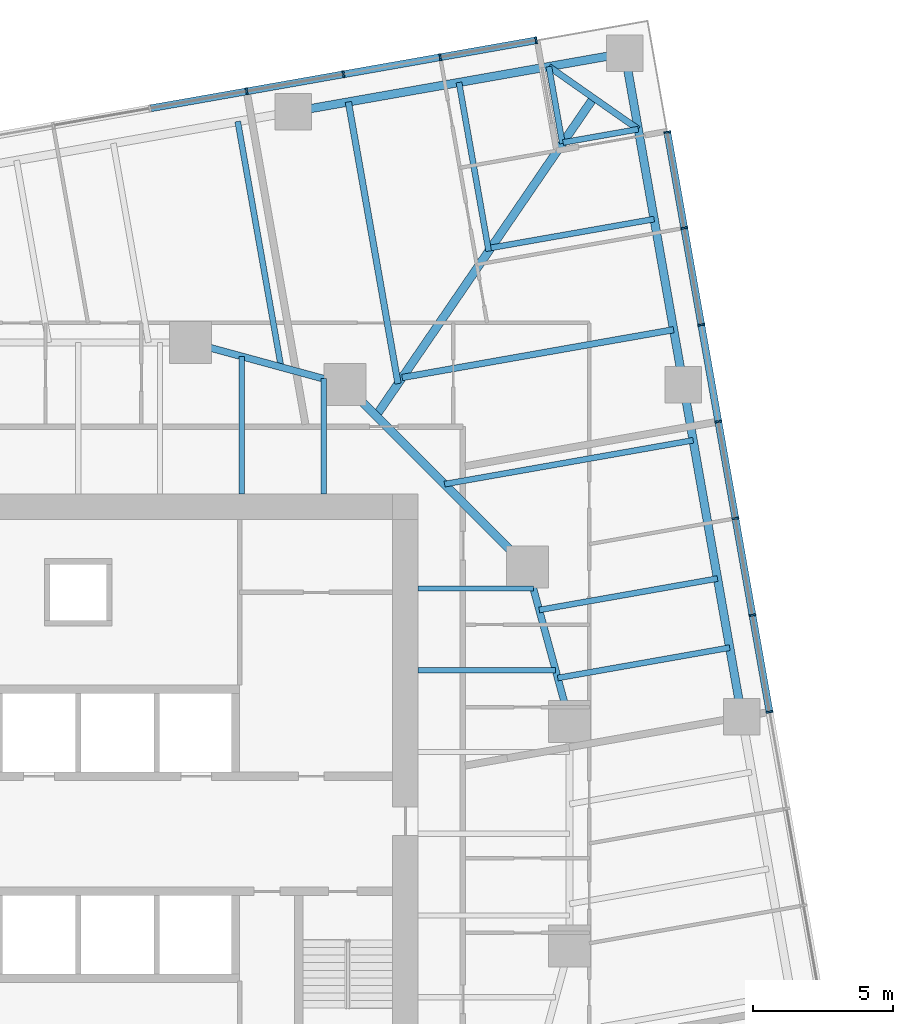
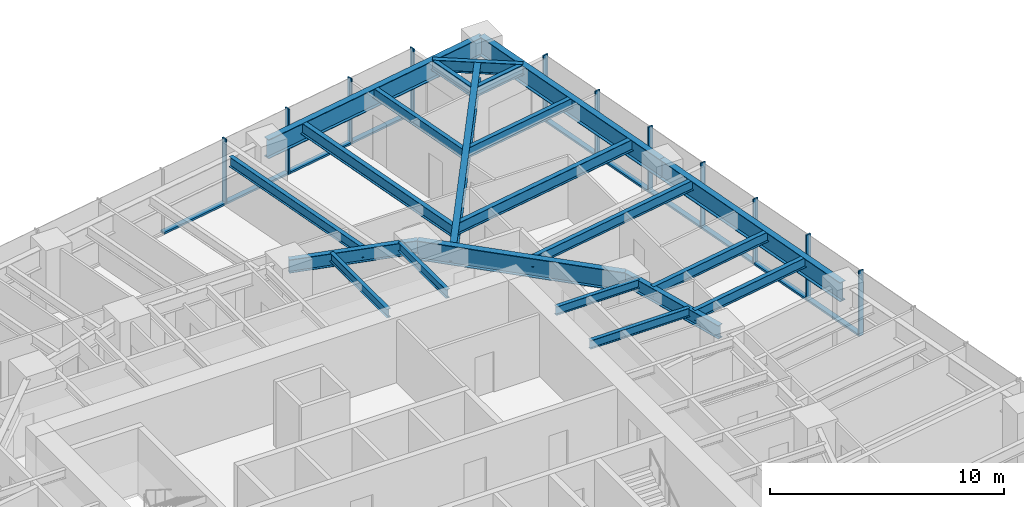
# One storey, part 6 of 14: 22 beams, 21 members, 2 elements without a shape of their own.
"""IFC4 building model written with IfcOpenShell, lengths in metres."""

from ifc_helpers import new_model, si_unit, direction, frame, origin, origin_2d, place, context, subcontext, project, spatial, rectangle, i_section, extrude, material, material_profile, profile_set, type_object, element, aggregate, save


model = new_model("IFC4")

# Units and contexts
model_context = context("Model", 3, precision=1e-05, world=origin(), true_north=direction((0.0, 1.0)))
body_context = subcontext(model_context, "Body", "Model", "MODEL_VIEW")
ifc_project = project(units=[si_unit("LENGTHUNIT", "METRE"), si_unit("AREAUNIT", "SQUARE_METRE"), si_unit("VOLUMEUNIT", "CUBIC_METRE"), si_unit("PLANEANGLEUNIT", "RADIAN"), si_unit("MASSUNIT", "GRAM", prefix="KILO")], contexts=[model_context])

# Site, building, storey
site_placement = place(None, origin())
site = spatial("IfcSite", under=ifc_project, at=site_placement, CompositionType="ELEMENT")
building_placement = place(site_placement, origin())
building = spatial("IfcBuilding", under=site, at=building_placement, Name="Torsade Residences", CompositionType="ELEMENT")
storey_placement = place(building_placement, frame((0.0, 0.0, 99.800048828125)))
storey = spatial("IfcBuildingStorey", under=building, at=storey_placement, Name="L27", CompositionType="ELEMENT", Elevation=99.800048828125)

# Beams
ifc_material_1 = material(Name="Steel grade 300", Category="steel")
ifc_material_profile_1 = material_profile(ifc_material_1, i_section(OverallWidth=0.300048828125, OverallDepth=0.89990234375, WebThickness=0.011962890625, FlangeThickness=0.02490234375, at=origin_2d()), Name="900WB175")
ifc_profile_set_1 = profile_set([ifc_material_profile_1], Name="Steel grade 300")
beam_type_1 = type_object("IfcBeamType", Name="CORNER GIRDER 900WB175", PredefinedType="BEAM", material=ifc_profile_set_1)
beam_1_placement = place(storey_placement, frame((58.3525390625, 56.2099609375, 2.800048828125), z_axis=(-0.564724759437, -0.825279313977, 0.0), x_axis=(0.825279313977, -0.564724759437, 0.0)))
element("IfcBeam", 1, at=beam_1_placement, inside=storey, type_object=beam_type_1, Name="Corner girder 09 L28", PredefinedType="BEAM", context=body_context, shape_type="SweptSolid", body=[
    extrude(i_section(OverallWidth=0.300048828125, OverallDepth=0.89990234375, WebThickness=0.011962890625, FlangeThickness=0.02490234375, at=origin_2d()), origin(), (0.0, 0.0, 1.0), 13.7138671875),
])
ifc_material_2 = material(Name="Steel grade 300", Category="steel")
ifc_material_profile_2 = material_profile(ifc_material_2, i_section(OverallWidth=0.22802734375, OverallDepth=0.60205078125, WebThickness=0.010498046875, FlangeThickness=0.014892578125, FilletRadius=0.013916015625, at=origin_2d()), Name="610UB101")
ifc_profile_set_2 = profile_set([ifc_material_profile_2], Name="Steel grade 300")
beam_type_2 = type_object("IfcBeamType", Name="CORNER TRIMMER 610UB101", PredefinedType="BEAM", material=ifc_profile_set_2)
beam_2_placement = place(storey_placement, frame((56.759521484375, 57.325439453125, 2.948974609375), z_axis=(0.819152285145, -0.573576092373, 0.0), x_axis=(0.573576092373, 0.819152285145, 0.0)))
element("IfcBeam", 2, at=beam_2_placement, inside=storey, type_object=beam_type_2, Name="Corner trimmer 09 L28", PredefinedType="BEAM", context=body_context, shape_type="SweptSolid", body=[
    extrude(i_section(OverallWidth=0.22802734375, OverallDepth=0.60205078125, WebThickness=0.010498046875, FlangeThickness=0.014892578125, FilletRadius=0.013916015625, at=origin_2d()), origin(), (0.0, 0.0, 1.0), 3.88916015625),
])

# Curtain wall, members
ifc_material_3 = material(Name="Aluminium and glass", Category="aluminium")
curtain_wall_type = type_object("IfcCurtainWallType", Name="FRITTED GLASS CURTAIN WALL LOW ZONE", PredefinedType="NOTDEFINED", material=ifc_material_3)
curtain_wall_1_placement = place(storey_placement, origin())
curtain_wall_1 = element("IfcCurtainWall", 3, at=curtain_wall_1_placement, inside=storey, type_object=curtain_wall_type, Name="Curtain wall L27 face 4", PredefinedType="NOTDEFINED")
ifc_material_4 = material(Name="Aluminium mullion", Category="aluminium")
ifc_material_profile_3 = material_profile(ifc_material_4, rectangle(XDim=0.25, YDim=0.06494140625, at=origin_2d()), Name="CURTAIN WALL MULLION 250x65")
ifc_profile_set_3 = profile_set([ifc_material_profile_3], Name="Aluminium mullion")
member_type_1 = type_object("IfcMemberType", Name="CURTAIN WALL MULLION 250x65", PredefinedType="MULLION", material=ifc_profile_set_3)
member_1_placement = place(storey_placement, frame((64.6201171875, 34.34130859375, 0.0), z_axis=(0.0, 0.0, 1.0), x_axis=(-0.984807750372, -0.173648192638, 0.0)))
member_1 = element("IfcMember", 4, at=member_1_placement, type_object=member_type_1, Name="Mullion 7", PredefinedType="MULLION", context=body_context, shape_type="SweptSolid", body=[
    extrude(rectangle(XDim=0.25, YDim=0.06494140625, at=origin_2d()), origin(), (0.0, 0.0, 1.0), 3.39990234375),
])
member_2_placement = place(storey_placement, frame((64.012451171875, 37.7880859375, 0.0), z_axis=(0.0, 0.0, 1.0), x_axis=(-0.984807750372, -0.173648192638, 0.0)))
member_2 = element("IfcMember", 5, at=member_2_placement, type_object=member_type_1, Name="Mullion 8", PredefinedType="MULLION", context=body_context, shape_type="SweptSolid", body=[
    extrude(rectangle(XDim=0.25, YDim=0.06494140625, at=origin_2d()), origin(), (0.0, 0.0, 1.0), 3.39990234375),
])
member_3_placement = place(storey_placement, frame((63.404541015625, 41.23486328125, 0.0), z_axis=(0.0, 0.0, 1.0), x_axis=(-0.984807750372, -0.173648192638, 0.0)))
member_3 = element("IfcMember", 6, at=member_3_placement, type_object=member_type_1, Name="Mullion 9", PredefinedType="MULLION", context=body_context, shape_type="SweptSolid", body=[
    extrude(rectangle(XDim=0.25, YDim=0.06494140625, at=origin_2d()), origin(), (0.0, 0.0, 1.0), 3.39990234375),
])
member_4_placement = place(storey_placement, frame((62.796875, 44.681640625, 0.0), z_axis=(0.0, 0.0, 1.0), x_axis=(-0.984807750372, -0.173648192638, 0.0)))
member_4 = element("IfcMember", 7, at=member_4_placement, type_object=member_type_1, Name="Mullion 10", PredefinedType="MULLION", context=body_context, shape_type="SweptSolid", body=[
    extrude(rectangle(XDim=0.25, YDim=0.06494140625, at=origin_2d()), origin(), (0.0, 0.0, 1.0), 3.39990234375),
])
member_5_placement = place(storey_placement, frame((62.189208984375, 48.12841796875, 0.0), z_axis=(0.0, 0.0, 1.0), x_axis=(-0.984807750372, -0.173648192638, 0.0)))
member_5 = element("IfcMember", 8, at=member_5_placement, type_object=member_type_1, Name="Mullion 11", PredefinedType="MULLION", context=body_context, shape_type="SweptSolid", body=[
    extrude(rectangle(XDim=0.25, YDim=0.06494140625, at=origin_2d()), origin(), (0.0, 0.0, 1.0), 3.39990234375),
])
member_6_placement = place(storey_placement, frame((61.581298828125, 51.575439453125, 0.0), z_axis=(0.0, 0.0, 1.0), x_axis=(-0.984807750372, -0.173648192638, 0.0)))
member_6 = element("IfcMember", 9, at=member_6_placement, type_object=member_type_1, Name="Mullion 12", PredefinedType="MULLION", context=body_context, shape_type="SweptSolid", body=[
    extrude(rectangle(XDim=0.25, YDim=0.06494140625, at=origin_2d()), origin(), (0.0, 0.0, 1.0), 3.39990234375),
])
member_7_placement = place(storey_placement, frame((60.979248046875, 54.990234375, 0.0), z_axis=(0.0, 0.0, 1.0), x_axis=(-0.984807750372, -0.173648192638, 0.0)))
member_7 = element("IfcMember", 10, at=member_7_placement, type_object=member_type_1, Name="Mullion 13", PredefinedType="MULLION", context=body_context, shape_type="SweptSolid", body=[
    extrude(rectangle(XDim=0.25, YDim=0.06494140625, at=origin_2d()), origin(), (0.0, 0.0, 1.0), 3.39990234375),
])

curtain_wall_2_placement = place(storey_placement, origin())
curtain_wall_2 = element("IfcCurtainWall", 11, at=curtain_wall_2_placement, inside=storey, type_object=curtain_wall_type, Name="Curtain wall L27 face 7", PredefinedType="NOTDEFINED")
member_8_placement = place(storey_placement, frame((56.307861328125, 58.26123046875, 0.0), z_axis=(0.0, 0.0, 1.0), x_axis=(0.173648192638, -0.984807750372, 0.0)))
member_8 = element("IfcMember", 12, at=member_8_placement, type_object=member_type_1, Name="Mullion 1", PredefinedType="MULLION", context=body_context, shape_type="SweptSolid", body=[
    extrude(rectangle(XDim=0.25, YDim=0.06494140625, at=origin_2d()), origin(), (0.0, 0.0, 1.0), 3.39990234375),
])
member_9_placement = place(storey_placement, frame((52.892822265625, 57.658935546875, 0.0), z_axis=(0.0, 0.0, 1.0), x_axis=(0.173648192638, -0.984807750372, 0.0)))
member_9 = element("IfcMember", 13, at=member_9_placement, type_object=member_type_1, Name="Mullion 2", PredefinedType="MULLION", context=body_context, shape_type="SweptSolid", body=[
    extrude(rectangle(XDim=0.25, YDim=0.06494140625, at=origin_2d()), origin(), (0.0, 0.0, 1.0), 3.39990234375),
])
member_10_placement = place(storey_placement, frame((49.446044921875, 57.05126953125, 0.0), z_axis=(0.0, 0.0, 1.0), x_axis=(0.173648192638, -0.984807750372, 0.0)))
member_10 = element("IfcMember", 14, at=member_10_placement, type_object=member_type_1, Name="Mullion 3", PredefinedType="MULLION", context=body_context, shape_type="SweptSolid", body=[
    extrude(rectangle(XDim=0.25, YDim=0.06494140625, at=origin_2d()), origin(), (0.0, 0.0, 1.0), 3.39990234375),
])
member_11_placement = place(storey_placement, frame((45.999267578125, 56.443603515625, 0.0), z_axis=(0.0, 0.0, 1.0), x_axis=(0.173648192638, -0.984807750372, 0.0)))
member_11 = element("IfcMember", 15, at=member_11_placement, type_object=member_type_1, Name="Mullion 4", PredefinedType="MULLION", context=body_context, shape_type="SweptSolid", body=[
    extrude(rectangle(XDim=0.25, YDim=0.06494140625, at=origin_2d()), origin(), (0.0, 0.0, 1.0), 3.39990234375),
])

# Member
ifc_material_5 = material(Name="Aluminium transom", Category="aluminium")
ifc_material_profile_4 = material_profile(ifc_material_5, rectangle(XDim=0.25, YDim=0.10009765625, at=origin_2d()), Name="CURTAIN WALL TRANSOM 250x100")
ifc_profile_set_4 = profile_set([ifc_material_profile_4], Name="Aluminium transom")
member_type_2 = type_object("IfcMemberType", Name="CURTAIN WALL TRANSOM 250x100", PredefinedType="USERDEFINED", material=ifc_profile_set_4)
member_12_placement = place(storey_placement, frame((64.614501953125, 34.373291015625, 0.050048828125), z_axis=(-0.17363531196, 0.984810021497, 0.0), x_axis=(-0.984810021497, -0.17363531196, 0.0)))
member_12 = element("IfcMember", 16, at=member_12_placement, type_object=member_type_2, Name="Transom 7.1", ObjectType="TRANSOM", PredefinedType="USERDEFINED", context=body_context, shape_type="SweptSolid", body=[
    extrude(rectangle(XDim=0.25, YDim=0.10009765625, at=origin_2d()), origin(), (0.0, 0.0, 1.0), 3.43505859375),
])

member_13_placement = place(storey_placement, frame((64.0068359375, 37.820068359375, 0.050048828125), z_axis=(-0.17363531196, 0.984810021497, 0.0), x_axis=(-0.984810021497, -0.17363531196, 0.0)))
member_13 = element("IfcMember", 17, at=member_13_placement, type_object=member_type_2, Name="Transom 8.1", ObjectType="TRANSOM", PredefinedType="USERDEFINED", context=body_context, shape_type="SweptSolid", body=[
    extrude(rectangle(XDim=0.25, YDim=0.10009765625, at=origin_2d()), origin(), (0.0, 0.0, 1.0), 3.43505859375),
])

member_14_placement = place(storey_placement, frame((63.39892578125, 41.266845703125, 0.050048828125), z_axis=(-0.17363531196, 0.984810021497, 0.0), x_axis=(-0.984810021497, -0.17363531196, 0.0)))
member_14 = element("IfcMember", 18, at=member_14_placement, type_object=member_type_2, Name="Transom 9.1", ObjectType="TRANSOM", PredefinedType="USERDEFINED", context=body_context, shape_type="SweptSolid", body=[
    extrude(rectangle(XDim=0.25, YDim=0.10009765625, at=origin_2d()), origin(), (0.0, 0.0, 1.0), 3.43505859375),
])

member_15_placement = place(storey_placement, frame((62.791259765625, 44.713623046875, 0.050048828125), z_axis=(-0.17363531196, 0.984810021497, 0.0), x_axis=(-0.984810021497, -0.17363531196, 0.0)))
member_15 = element("IfcMember", 19, at=member_15_placement, type_object=member_type_2, Name="Transom 10.1", ObjectType="TRANSOM", PredefinedType="USERDEFINED", context=body_context, shape_type="SweptSolid", body=[
    extrude(rectangle(XDim=0.25, YDim=0.10009765625, at=origin_2d()), origin(), (0.0, 0.0, 1.0), 3.43505859375),
])

member_16_placement = place(storey_placement, frame((62.18359375, 48.160400390625, 0.050048828125), z_axis=(-0.173704242465, 0.98479786563, 0.0), x_axis=(-0.98479786563, -0.173704242465, 0.0)))
member_16 = element("IfcMember", 20, at=member_16_placement, type_object=member_type_2, Name="Transom 11.1", ObjectType="TRANSOM", PredefinedType="USERDEFINED", context=body_context, shape_type="SweptSolid", body=[
    extrude(rectangle(XDim=0.25, YDim=0.10009765625, at=origin_2d()), origin(), (0.0, 0.0, 1.0), 3.43505859375),
])

member_17_placement = place(storey_placement, frame((61.57568359375, 51.607421875, 0.050048828125), z_axis=(-0.173642067011, 0.984808830466, 0.0), x_axis=(-0.984808830466, -0.173642067011, 0.0)))
member_17 = element("IfcMember", 21, at=member_17_placement, type_object=member_type_2, Name="Transom 12.1", ObjectType="TRANSOM", PredefinedType="USERDEFINED", context=body_context, shape_type="SweptSolid", body=[
    extrude(rectangle(XDim=0.25, YDim=0.10009765625, at=origin_2d()), origin(), (0.0, 0.0, 1.0), 3.402587890625),
])

aggregate(curtain_wall_1, [member_1, member_2, member_3, member_4, member_5, member_6, member_7, member_12, member_13, member_14, member_15, member_16, member_17])

member_18_placement = place(storey_placement, frame((56.275634765625, 58.255615234375, 0.050048828125), z_axis=(-0.984806666774, -0.173654337918, 0.0), x_axis=(0.173654337918, -0.984806666774, 0.0)))
member_18 = element("IfcMember", 22, at=member_18_placement, type_object=member_type_2, Name="Transom 1.1", ObjectType="TRANSOM", PredefinedType="USERDEFINED", context=body_context, shape_type="SweptSolid", body=[
    extrude(rectangle(XDim=0.25, YDim=0.10009765625, at=origin_2d()), origin(), (0.0, 0.0, 1.0), 3.40234375),
])

member_19_placement = place(storey_placement, frame((52.86083984375, 57.6533203125, 0.050048828125), z_axis=(-0.984810021497, -0.17363531196, 0.0), x_axis=(0.17363531196, -0.984810021497, 0.0)))
member_19 = element("IfcMember", 23, at=member_19_placement, type_object=member_type_2, Name="Transom 2.1", ObjectType="TRANSOM", PredefinedType="USERDEFINED", context=body_context, shape_type="SweptSolid", body=[
    extrude(rectangle(XDim=0.25, YDim=0.10009765625, at=origin_2d()), origin(), (0.0, 0.0, 1.0), 3.43505859375),
])

member_20_placement = place(storey_placement, frame((49.4140625, 57.045654296875, 0.050048828125), z_axis=(-0.984810021497, -0.17363531196, 0.0), x_axis=(0.17363531196, -0.984810021497, 0.0)))
member_20 = element("IfcMember", 24, at=member_20_placement, type_object=member_type_2, Name="Transom 3.1", ObjectType="TRANSOM", PredefinedType="USERDEFINED", context=body_context, shape_type="SweptSolid", body=[
    extrude(rectangle(XDim=0.25, YDim=0.10009765625, at=origin_2d()), origin(), (0.0, 0.0, 1.0), 3.43505859375),
])

member_21_placement = place(storey_placement, frame((45.96728515625, 56.437744140625, 0.050048828125), z_axis=(-0.984810021497, -0.17363531196, 0.0), x_axis=(0.17363531196, -0.984810021497, 0.0)))
member_21 = element("IfcMember", 25, at=member_21_placement, type_object=member_type_2, Name="Transom 4.1", ObjectType="TRANSOM", PredefinedType="USERDEFINED", context=body_context, shape_type="SweptSolid", body=[
    extrude(rectangle(XDim=0.25, YDim=0.10009765625, at=origin_2d()), origin(), (0.0, 0.0, 1.0), 3.43505859375),
])

aggregate(curtain_wall_2, [member_8, member_9, member_10, member_11, member_18, member_19, member_20, member_21])

# Beams
ifc_material_6 = material(Name="Steel grade 300", Category="steel")
ifc_material_profile_5 = material_profile(ifc_material_6, i_section(OverallWidth=0.300048828125, OverallDepth=1.0, WebThickness=0.01611328125, FlangeThickness=0.028076171875, at=origin_2d()), Name="1000WB215")
ifc_profile_set_5 = profile_set([ifc_material_profile_5], Name="Steel grade 300")
beam_type_3 = type_object("IfcBeamType", Name="EDGE BEAM 1000WB215", PredefinedType="SPANDREL", material=ifc_profile_set_5)
beam_3_placement = place(storey_placement, frame((63.635498046875, 34.16748046875, 2.75), z_axis=(-0.173662308598, 0.984805261243, 0.0), x_axis=(-0.984805261243, -0.173662308598, 0.0)))
element("IfcBeam", 26, at=beam_3_placement, inside=storey, type_object=beam_type_3, Name="Edge beam 07 L28", PredefinedType="SPANDREL", context=body_context, shape_type="SweptSolid", body=[
    extrude(i_section(OverallWidth=0.300048828125, OverallDepth=1.0, WebThickness=0.01611328125, FlangeThickness=0.028076171875, at=origin_2d()), origin(), (0.0, 0.0, 1.0), 12.000244140625),
])
for number, where, z_axis, x_axis, name in (
    (27, (61.551513671875, 45.9853515625, 2.75), (-0.173646056486, 0.984808127031, 0.0), (-0.984808127031, -0.173646056486, 0.0), "Edge beam 08 L28"),
    (28, (59.4677734375, 57.802978515625, 2.75), (-0.984808127031, -0.173646056486, 0.0), (0.173646056486, -0.984808127031, 0.0), "Edge beam 09 L28"),
):
    element("IfcBeam", number, at=place(storey_placement, frame(where, z_axis=z_axis, x_axis=x_axis)), inside=storey, type_object=beam_type_3, Name=name, PredefinedType="SPANDREL", context=body_context, shape_type="SweptSolid", body=[
        extrude(i_section(OverallWidth=0.300048828125, OverallDepth=1.0, WebThickness=0.01611328125, FlangeThickness=0.028076171875, at=origin_2d()), origin(), (0.0, 0.0, 1.0), 12.0),
    ])
ifc_material_7 = material(Name="Steel grade 300", Category="steel")
ifc_material_profile_6 = material_profile(ifc_material_7, i_section(OverallWidth=0.18994140625, OverallDepth=0.4541015625, WebThickness=0.008544921875, FlangeThickness=0.0126953125, FilletRadius=0.011474609375, at=origin_2d()), Name="460UB67.1")
ifc_profile_set_6 = profile_set([ifc_material_profile_6], Name="Steel grade 300")
beam_type_4 = type_object("IfcBeamType", Name="INNER FLOOR BEAM 460UB67.1", PredefinedType="JOIST", material=ifc_profile_set_6)
beam_4_placement = place(storey_placement, frame((45.824951171875, 42.10009765625, 3.02294921875), z_axis=(0.0, 1.0, 0.0), x_axis=(-1.0, 0.0, 0.0)))
element("IfcBeam", 29, at=beam_4_placement, inside=storey, type_object=beam_type_4, Name="Inner floor beam IN06 L28", PredefinedType="JOIST", context=body_context, shape_type="SweptSolid", body=[
    extrude(i_section(OverallWidth=0.18994140625, OverallDepth=0.4541015625, WebThickness=0.008544921875, FlangeThickness=0.0126953125, FilletRadius=0.011474609375, at=origin_2d()), origin(), (0.0, 0.0, 1.0), 4.902099609375),
])
beam_5_placement = place(storey_placement, frame((48.737548828125, 42.10009765625, 3.02294921875), z_axis=(0.0, 1.0, 0.0), x_axis=(-1.0, 0.0, 0.0)))
element("IfcBeam", 30, at=beam_5_placement, inside=storey, type_object=beam_type_4, Name="Inner floor beam IN07 L28", PredefinedType="JOIST", context=body_context, shape_type="SweptSolid", body=[
    extrude(i_section(OverallWidth=0.18994140625, OverallDepth=0.4541015625, WebThickness=0.008544921875, FlangeThickness=0.0126953125, FilletRadius=0.011474609375, at=origin_2d()), origin(), (0.0, 0.0, 1.0), 4.10791015625),
])
beam_6_placement = place(storey_placement, frame((52.10009765625, 35.824951171875, 3.02294921875), z_axis=(1.0, 0.0, 0.0), x_axis=(0.0, 1.0, 0.0)))
element("IfcBeam", 31, at=beam_6_placement, inside=storey, type_object=beam_type_4, Name="Inner floor beam IE06 L28", PredefinedType="JOIST", context=body_context, shape_type="SweptSolid", body=[
    extrude(i_section(OverallWidth=0.18994140625, OverallDepth=0.4541015625, WebThickness=0.008544921875, FlangeThickness=0.0126953125, FilletRadius=0.011474609375, at=origin_2d()), origin(), (0.0, 0.0, 1.0), 4.902099609375),
])
beam_7_placement = place(storey_placement, frame((52.10009765625, 38.737548828125, 3.02294921875), z_axis=(1.0, 0.0, 0.0), x_axis=(0.0, 1.0, 0.0)))
element("IfcBeam", 32, at=beam_7_placement, inside=storey, type_object=beam_type_4, Name="Inner floor beam IE07 L28", PredefinedType="JOIST", context=body_context, shape_type="SweptSolid", body=[
    extrude(i_section(OverallWidth=0.18994140625, OverallDepth=0.4541015625, WebThickness=0.008544921875, FlangeThickness=0.0126953125, FilletRadius=0.011474609375, at=origin_2d()), origin(), (0.0, 0.0, 1.0), 4.10791015625),
])
ifc_material_8 = material(Name="Steel grade 300", Category="steel")
ifc_material_profile_7 = material_profile(ifc_material_8, i_section(OverallWidth=0.300048828125, OverallDepth=1.0, WebThickness=0.01611328125, FlangeThickness=0.028076171875, at=origin_2d()), Name="1000WB215")
ifc_profile_set_7 = profile_set([ifc_material_profile_7], Name="Steel grade 300")
beam_type_5 = type_object("IfcBeamType", Name="RING CORNER GIRDER 1000WB215", PredefinedType="BEAM", material=ifc_profile_set_7)
beam_8_placement = place(storey_placement, frame((56.0, 39.5, 2.75), z_axis=(-0.707106781187, 0.707106781187, 0.0), x_axis=(-0.707106781187, -0.707106781187, 0.0)))
element("IfcBeam", 33, at=beam_8_placement, inside=storey, type_object=beam_type_5, Name="Ring girder IR03 L28", PredefinedType="BEAM", context=body_context, shape_type="SweptSolid", body=[
    extrude(i_section(OverallWidth=0.300048828125, OverallDepth=1.0, WebThickness=0.01611328125, FlangeThickness=0.028076171875, at=origin_2d()), origin(), (0.0, 0.0, 1.0), 9.1923828125),
])
ifc_material_9 = material(Name="Steel grade 300", Category="steel")
ifc_material_profile_8 = material_profile(ifc_material_9, i_section(OverallWidth=0.25, OverallDepth=0.699951171875, WebThickness=0.010009765625, FlangeThickness=0.02001953125, at=origin_2d()), Name="700WB130")
ifc_profile_set_8 = profile_set([ifc_material_profile_8], Name="Steel grade 300")
beam_type_6 = type_object("IfcBeamType", Name="RING GIRDER 700WB130", PredefinedType="BEAM", material=ifc_profile_set_8)
for number, where, z_axis, x_axis, name in (
    (34, (57.5, 34.0, 2.89990234375), (-0.263117405792, 0.964763821238, 0.0), (-0.964763821238, -0.263117405792, 0.0), "Ring girder IR02 L28"),
    (35, (49.5, 46.0, 2.89990234375), (-0.964763821238, 0.263117405792, 0.0), (-0.263117405792, -0.964763821238, 0.0), "Ring girder IR04 L28"),
):
    element("IfcBeam", number, at=place(storey_placement, frame(where, z_axis=z_axis, x_axis=x_axis)), inside=storey, type_object=beam_type_6, Name=name, PredefinedType="BEAM", context=body_context, shape_type="SweptSolid", body=[
        extrude(i_section(OverallWidth=0.25, OverallDepth=0.699951171875, WebThickness=0.010009765625, FlangeThickness=0.02001953125, at=origin_2d()), origin(), (0.0, 0.0, 1.0), 5.700927734375),
    ])
ifc_material_10 = material(Name="Steel grade 300", Category="steel")
ifc_material_profile_9 = material_profile(ifc_material_10, i_section(OverallWidth=0.208984375, OverallDepth=0.528076171875, WebThickness=0.009521484375, FlangeThickness=0.01318359375, FilletRadius=0.013916015625, at=origin_2d()), Name="530UB82.0")
ifc_profile_set_9 = profile_set([ifc_material_profile_9], Name="Steel grade 300")
beam_type_7 = type_object("IfcBeamType", Name="SECONDARY BEAM 530UB82.0", PredefinedType="JOIST", material=ifc_profile_set_9)
beam_9_placement = place(storey_placement, frame((63.201171875, 36.629638671875, 2.98583984375), z_axis=(-0.984806474989, -0.173655425542, 0.0), x_axis=(0.173655425542, -0.984806474989, 0.0)))
element("IfcBeam", 36, at=beam_9_placement, inside=storey, type_object=beam_type_7, Name="Floor beam FE07 L28", PredefinedType="JOIST", context=body_context, shape_type="SweptSolid", body=[
    extrude(i_section(OverallWidth=0.208984375, OverallDepth=0.528076171875, WebThickness=0.009521484375, FlangeThickness=0.01318359375, FilletRadius=0.013916015625, at=origin_2d()), origin(), (0.0, 0.0, 1.0), 6.21826171875),
])
beam_10_placement = place(storey_placement, frame((62.76708984375, 39.091552734375, 2.98583984375), z_axis=(-0.984810608823, -0.17363198078, 0.0), x_axis=(0.17363198078, -0.984810608823, 0.0)))
element("IfcBeam", 37, at=beam_10_placement, inside=storey, type_object=beam_type_7, Name="Floor beam FE08 L28", PredefinedType="JOIST", context=body_context, shape_type="SweptSolid", body=[
    extrude(i_section(OverallWidth=0.208984375, OverallDepth=0.528076171875, WebThickness=0.009521484375, FlangeThickness=0.01318359375, FilletRadius=0.013916015625, at=origin_2d()), origin(), (0.0, 0.0, 1.0), 6.4482421875),
])
beam_11_placement = place(storey_placement, frame((61.89892578125, 44.015625, 2.98583984375), z_axis=(-0.984809246638, -0.173639706679, 0.0), x_axis=(0.173639706679, -0.984809246638, 0.0)))
element("IfcBeam", 38, at=beam_11_placement, inside=storey, type_object=beam_type_7, Name="Floor beam FE09 L28", PredefinedType="JOIST", context=body_context, shape_type="SweptSolid", body=[
    extrude(i_section(OverallWidth=0.208984375, OverallDepth=0.528076171875, WebThickness=0.009521484375, FlangeThickness=0.01318359375, FilletRadius=0.013916015625, at=origin_2d()), origin(), (0.0, 0.0, 1.0), 8.989990234375),
])
beam_12_placement = place(storey_placement, frame((60.509765625, 51.89404296875, 2.98583984375), z_axis=(-0.984811033899, -0.173629569808, 0.0), x_axis=(0.173629569808, -0.984811033899, 0.0)))
element("IfcBeam", 39, at=beam_12_placement, inside=storey, type_object=beam_type_7, Name="Floor beam FE11 L28", PredefinedType="JOIST", context=body_context, shape_type="SweptSolid", body=[
    extrude(i_section(OverallWidth=0.208984375, OverallDepth=0.528076171875, WebThickness=0.009521484375, FlangeThickness=0.01318359375, FilletRadius=0.013916015625, at=origin_2d()), origin(), (0.0, 0.0, 1.0), 5.9013671875),
])
beam_13_placement = place(storey_placement, frame((59.9453125, 55.0947265625, 2.98583984375), z_axis=(-0.984807941563, -0.17364710834, 0.0), x_axis=(0.17364710834, -0.984807941563, 0.0)))
element("IfcBeam", 40, at=beam_13_placement, inside=storey, type_object=beam_type_7, Name="Floor beam FE12 L28", PredefinedType="JOIST", context=body_context, shape_type="SweptSolid", body=[
    extrude(i_section(OverallWidth=0.208984375, OverallDepth=0.528076171875, WebThickness=0.009521484375, FlangeThickness=0.01318359375, FilletRadius=0.013916015625, at=origin_2d()), origin(), (0.0, 0.0, 1.0), 2.720458984375),
])
beam_14_placement = place(storey_placement, frame((56.759521484375, 57.325439453125, 2.98583984375), z_axis=(0.173705176765, -0.984797700832, 0.0), x_axis=(0.984797700832, 0.173705176765, 0.0)))
element("IfcBeam", 41, at=beam_14_placement, inside=storey, type_object=beam_type_7, Name="Floor beam FN01 L28", PredefinedType="JOIST", context=body_context, shape_type="SweptSolid", body=[
    extrude(i_section(OverallWidth=0.208984375, OverallDepth=0.528076171875, WebThickness=0.009521484375, FlangeThickness=0.01318359375, FilletRadius=0.013916015625, at=origin_2d()), origin(), (0.0, 0.0, 1.0), 2.780029296875),
])
beam_15_placement = place(storey_placement, frame((53.55908203125, 56.760986328125, 2.98583984375), z_axis=(0.173639225065, -0.984809331556, 0.0), x_axis=(0.984809331556, 0.173639225065, 0.0)))
element("IfcBeam", 42, at=beam_15_placement, inside=storey, type_object=beam_type_7, Name="Floor beam FN02 L28", PredefinedType="JOIST", context=body_context, shape_type="SweptSolid", body=[
    extrude(i_section(OverallWidth=0.208984375, OverallDepth=0.528076171875, WebThickness=0.009521484375, FlangeThickness=0.01318359375, FilletRadius=0.013916015625, at=origin_2d()), origin(), (0.0, 0.0, 1.0), 6.100830078125),
])
beam_16_placement = place(storey_placement, frame((45.680419921875, 55.371826171875, 2.98583984375), z_axis=(0.173667781384, -0.984804296147, 0.0), x_axis=(0.984804296147, 0.173667781384, 0.0)))
element("IfcBeam", 43, at=beam_16_placement, inside=storey, type_object=beam_type_7, Name="Floor beam FN04 L28", PredefinedType="JOIST", context=body_context, shape_type="SweptSolid", body=[
    extrude(i_section(OverallWidth=0.208984375, OverallDepth=0.528076171875, WebThickness=0.009521484375, FlangeThickness=0.01318359375, FilletRadius=0.013916015625, at=origin_2d()), origin(), (0.0, 0.0, 1.0), 8.885986328125),
])
ifc_material_11 = material(Name="Steel grade 300", Category="steel")
ifc_material_profile_10 = material_profile(ifc_material_11, i_section(OverallWidth=0.22900390625, OverallDepth=0.612060546875, WebThickness=0.011962890625, FlangeThickness=0.01953125, FilletRadius=0.013916015625, at=origin_2d()), Name="610UB125")
ifc_profile_set_10 = profile_set([ifc_material_profile_10], Name="Steel grade 300")
beam_type_8 = type_object("IfcBeamType", Name="SECONDARY BEAM 610UB125", PredefinedType="JOIST", material=ifc_profile_set_10)
beam_17_placement = place(storey_placement, frame((61.204345703125, 47.954833984375, 2.94384765625), z_axis=(-0.984807085789, -0.173651961637, 0.0), x_axis=(0.173651961637, -0.984807085789, 0.0)))
element("IfcBeam", 44, at=beam_17_placement, inside=storey, type_object=beam_type_8, Name="Floor beam FE10 L28", PredefinedType="JOIST", context=body_context, shape_type="SweptSolid", body=[
    extrude(i_section(OverallWidth=0.22900390625, OverallDepth=0.612060546875, WebThickness=0.011962890625, FlangeThickness=0.01953125, FilletRadius=0.013916015625, at=origin_2d()), origin(), (0.0, 0.0, 1.0), 9.816162109375),
])
beam_18_placement = place(storey_placement, frame((49.619873046875, 56.06640625, 2.94384765625), z_axis=(0.173644522411, -0.984808397525, 0.0), x_axis=(0.984808397525, 0.173644522411, 0.0)))
element("IfcBeam", 45, at=beam_18_placement, inside=storey, type_object=beam_type_8, Name="Floor beam FN03 L28", PredefinedType="JOIST", context=body_context, shape_type="SweptSolid", body=[
    extrude(i_section(OverallWidth=0.22900390625, OverallDepth=0.612060546875, WebThickness=0.011962890625, FlangeThickness=0.01953125, FilletRadius=0.013916015625, at=origin_2d()), origin(), (0.0, 0.0, 1.0), 10.187744140625),
])

save(model, "model.ifc")
